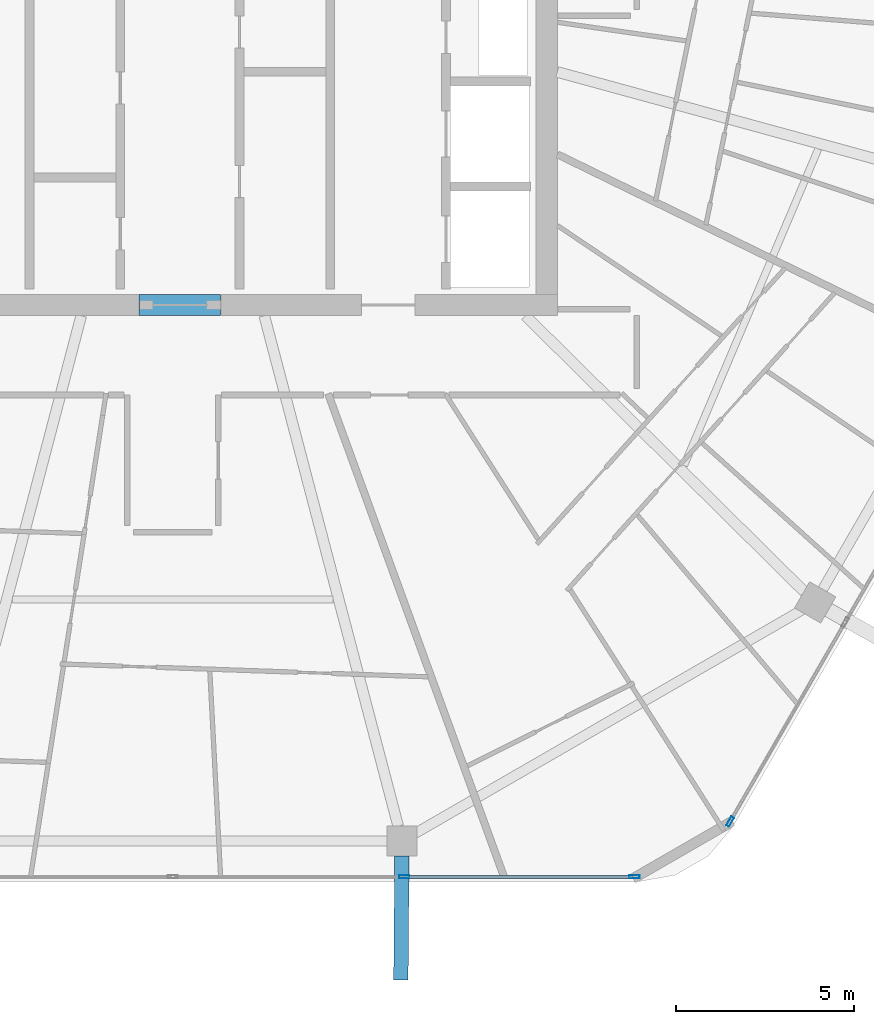
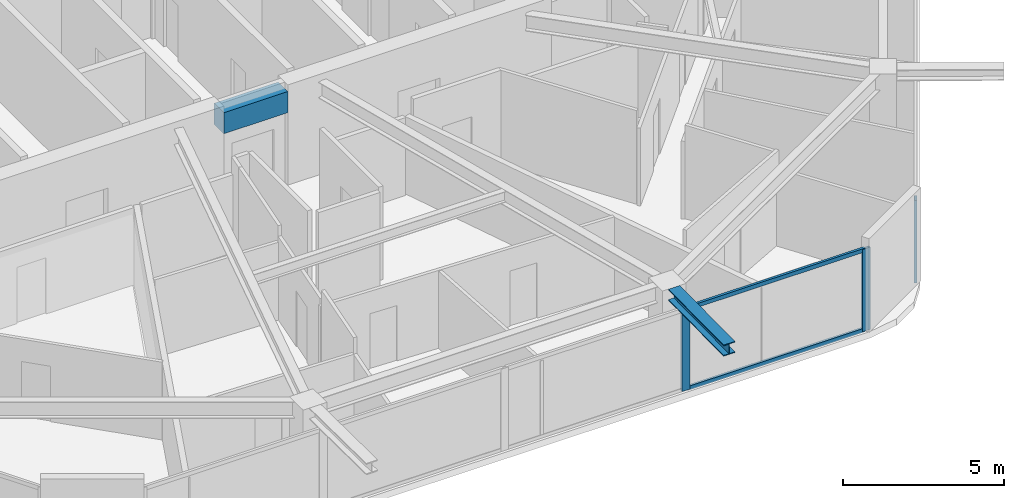
# One storey, part 7 of 26: 5 members, 2 beams, 2 elements without a shape of their own.
"""IFC4 building model written with IfcOpenShell, lengths in metres."""

from ifc_helpers import new_model, si_unit, direction, frame, origin, origin_2d, place, context, subcontext, project, spatial, rectangle, hollow_rectangle, i_section, extrude, material, material_profile, profile_set, type_object, element, aggregate, save


model = new_model("IFC4")

# Units and contexts
model_context = context("Model", 3, precision=1e-05, world=origin(), true_north=direction((0.0, 1.0)))
body_context = subcontext(model_context, "Body", "Model", "MODEL_VIEW")
ifc_project = project(units=[si_unit("LENGTHUNIT", "METRE"), si_unit("AREAUNIT", "SQUARE_METRE"), si_unit("VOLUMEUNIT", "CUBIC_METRE"), si_unit("PLANEANGLEUNIT", "RADIAN"), si_unit("MASSUNIT", "GRAM", prefix="KILO")], contexts=[model_context])

# Site, building, storey
site_placement = place(None, origin())
site = spatial("IfcSite", under=ifc_project, at=site_placement, CompositionType="ELEMENT")
building_placement = place(site_placement, origin())
building = spatial("IfcBuilding", under=site, at=building_placement, Name="Zuhravey Tower", CompositionType="ELEMENT")
storey_placement = place(building_placement, frame((0.0, 0.0, 295.800048828125)))
storey = spatial("IfcBuildingStorey", under=building, at=storey_placement, Name="L75", CompositionType="ELEMENT", Elevation=295.800048828125)

# Beam
ifc_material_1 = material(Name="Concrete C50/60", Category="concrete")
ifc_material_profile_1 = material_profile(ifc_material_1, rectangle(XDim=0.60009765625, YDim=0.800048828125, at=origin_2d()), Name="RC-600x800")
ifc_profile_set_1 = profile_set([ifc_material_profile_1], Name="Concrete C50/60")
beam_type_1 = type_object("IfcBeamType", Name="Core Coupling Beam RC600x800", PredefinedType="LINTEL", material=ifc_profile_set_1)
beam_1_placement = place(storey_placement, frame((35.052001953125, 22.5, 3.14990234375), z_axis=(1.0, 0.0, 0.0), x_axis=(0.0, 1.0, 0.0)))
element("IfcBeam", 1, at=beam_1_placement, inside=storey, type_object=beam_type_1, Name="L75 CB2 BM-L75-CB-S", PredefinedType="LINTEL", context=body_context, shape_type="SweptSolid", body=[
    extrude(rectangle(XDim=0.60009765625, YDim=0.800048828125, at=origin_2d()), origin(), (0.0, 0.0, 1.0), 2.2958984375),
])

# Curtain wall, member
ifc_material_2 = material(Name="Thermally broken anodised aluminium", Category="aluminium")
curtain_wall_type = type_object("IfcCurtainWallType", Name="Zone 3-4 High-Rise Curtain Wall CW4", PredefinedType="NOTDEFINED", material=ifc_material_2)
curtain_wall_1_placement = place(storey_placement, origin())
curtain_wall_1 = element("IfcCurtainWall", 2, at=curtain_wall_1_placement, inside=storey, type_object=curtain_wall_type, Name="L75 CW4 CW-L75-F6-1", PredefinedType="NOTDEFINED")
ifc_material_3 = material(Name="Anodised aluminium", Category="aluminium")
ifc_material_profile_2 = material_profile(ifc_material_3, hollow_rectangle(XDim=0.090087890625, YDim=0.284912109375, WallThickness=0.0048828125, at=origin_2d()), Name="ALU-RHS-90x285x5")
ifc_profile_set_2 = profile_set([ifc_material_profile_2], Name="Anodised aluminium")
member_type_1 = type_object("IfcMemberType", Name="Curtain-Wall Mullion 90x180", PredefinedType="MULLION", material=ifc_profile_set_2)
member_1_placement = place(storey_placement, frame((51.65478515625, 7.98779296875, 0.0), z_axis=(0.0, 0.0, 1.0), x_axis=(0.866024851021, -0.500000957414, 0.0)))
member_1 = element("IfcMember", 3, at=member_1_placement, type_object=member_type_1, Name="CW4 mullion 5", PredefinedType="MULLION", context=body_context, shape_type="SweptSolid", body=[
    extrude(hollow_rectangle(XDim=0.090087890625, YDim=0.284912109375, WallThickness=0.0048828125, at=origin_2d()), origin(), (0.0, 0.0, 1.0), 3.1220703125),
])
aggregate(curtain_wall_1, [member_1])

# Curtain wall, members
curtain_wall_2_placement = place(storey_placement, origin())
curtain_wall_2 = element("IfcCurtainWall", 4, at=curtain_wall_2_placement, inside=storey, type_object=curtain_wall_type, Name="L75 CW4 CW-L75-F5-1", PredefinedType="NOTDEFINED")
member_2_placement = place(storey_placement, frame((48.9677734375, 6.436279296875, 0.0), z_axis=(0.0, 0.0, 1.0), x_axis=(0.0, -1.0, 0.0)))
member_2 = element("IfcMember", 5, at=member_2_placement, type_object=member_type_1, Name="CW4 mullion 1", PredefinedType="MULLION", context=body_context, shape_type="SweptSolid", body=[
    extrude(hollow_rectangle(XDim=0.090087890625, YDim=0.284912109375, WallThickness=0.0048828125, at=origin_2d()), origin(), (0.0, 0.0, 1.0), 3.1220703125),
])
member_3_placement = place(storey_placement, frame((42.50634765625, 6.436279296875, 0.0), z_axis=(0.0, 0.0, 1.0), x_axis=(0.0, -1.0, 0.0)))
member_3 = element("IfcMember", 6, at=member_3_placement, type_object=member_type_1, Name="CW4 mullion 2", PredefinedType="MULLION", context=body_context, shape_type="SweptSolid", body=[
    extrude(hollow_rectangle(XDim=0.090087890625, YDim=0.284912109375, WallThickness=0.0048828125, at=origin_2d()), origin(), (0.0, 0.0, 1.0), 3.1220703125),
])
ifc_material_profile_3 = material_profile(ifc_material_3, hollow_rectangle(XDim=0.090087890625, YDim=0.14990234375, WallThickness=0.0048828125, at=origin_2d()), Name="ALU-RHS-90x150x5")
ifc_profile_set_3 = profile_set([ifc_material_profile_3], Name="Anodised aluminium")
member_type_2 = type_object("IfcMemberType", Name="Curtain-Wall Transom 90x150", PredefinedType="USERDEFINED", material=ifc_profile_set_3)
member_4_placement = place(storey_placement, frame((48.922607421875, 6.436279296875, 0.044921875), z_axis=(-1.0, 0.0, 0.0), x_axis=(0.0, -1.0, 0.0)))
member_4 = element("IfcMember", 7, at=member_4_placement, type_object=member_type_2, Name="CW4 transom 1.1", ObjectType="TRANSOM", PredefinedType="USERDEFINED", context=body_context, shape_type="SweptSolid", body=[
    extrude(hollow_rectangle(XDim=0.090087890625, YDim=0.14990234375, WallThickness=0.0048828125, at=origin_2d()), origin(), (0.0, 0.0, 1.0), 6.371337890625),
])
member_5_placement = place(storey_placement, frame((48.922607421875, 6.436279296875, 3.076904296875), z_axis=(-1.0, 0.0, 0.0), x_axis=(0.0, -1.0, 0.0)))
member_5 = element("IfcMember", 8, at=member_5_placement, type_object=member_type_2, Name="CW4 transom 1.2", ObjectType="TRANSOM", PredefinedType="USERDEFINED", context=body_context, shape_type="SweptSolid", body=[
    extrude(hollow_rectangle(XDim=0.090087890625, YDim=0.14990234375, WallThickness=0.0048828125, at=origin_2d()), origin(), (0.0, 0.0, 1.0), 6.371337890625),
])
aggregate(curtain_wall_2, [member_2, member_3, member_4, member_5])

# Beam
ifc_material_4 = material(Name="Steel SM460", Category="steel")
ifc_material_profile_4 = material_profile(ifc_material_4, i_section(OverallWidth=0.406982421875, OverallDepth=0.427978515625, WebThickness=0.02001953125, FlangeThickness=0.034912109375, at=origin_2d()), Name="H-428x407x20x35")
ifc_profile_set_4 = profile_set([ifc_material_profile_4], Name="Steel SM460")
beam_type_2 = type_object("IfcBeamType", Name="Exoskeleton Node Tie Beam H428x407", PredefinedType="BEAM", material=ifc_profile_set_4)
beam_2_placement = place(storey_placement, frame((42.437255859375, 7.017333984375, 3.3359375), z_axis=(-0.008498674591, -0.999963885613, 0.0), x_axis=(0.999963885613, -0.008498674591, 0.0)))
element("IfcBeam", 9, at=beam_2_placement, inside=storey, type_object=beam_type_2, Name="L75 Exoskeleton Node Tie NT1-10", PredefinedType="BEAM", context=body_context, shape_type="SweptSolid", body=[
    extrude(i_section(OverallWidth=0.406982421875, OverallDepth=0.427978515625, WebThickness=0.02001953125, FlangeThickness=0.034912109375, at=origin_2d()), origin(), (0.0, 0.0, 1.0), 3.47607421875),
])

save(model, "model.ifc")
